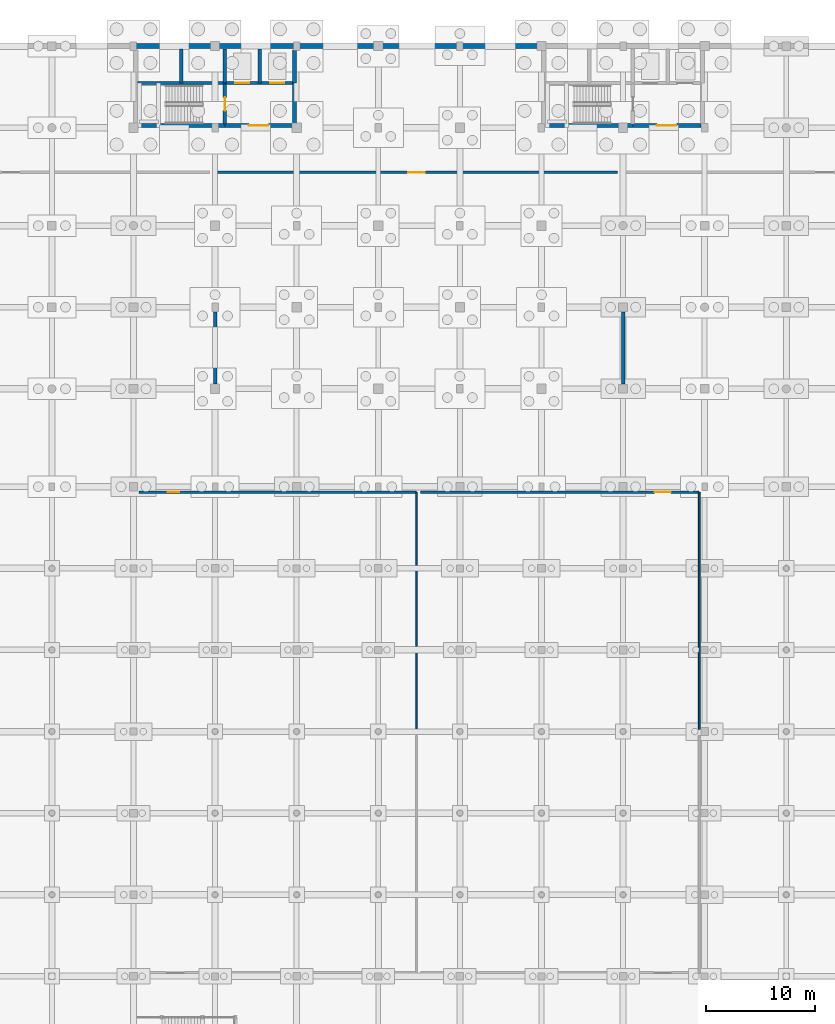
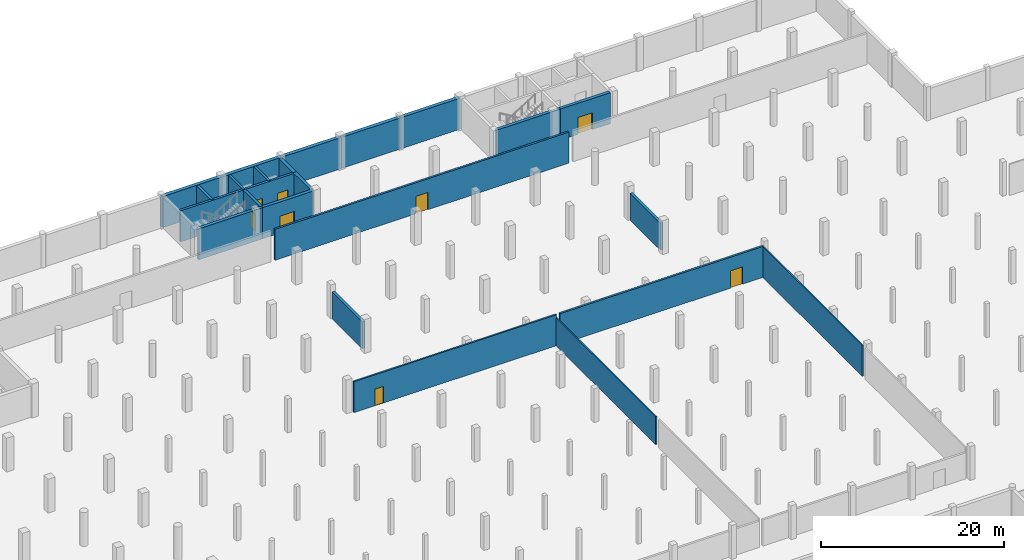
# One storey, part 29 of 42: 24 walls, 8 doors, 8 openings.
"""IFC4 building model written with IfcOpenShell, lengths in metres."""

from ifc_helpers import new_model, si_unit, direction, frame, frame_2d, origin, place, context, subcontext, project, spatial, rectangle, extrude, material, layer, layer_set, type_object, element, fill, save


model = new_model("IFC4")

# Units and contexts
model_context = context("Model", 3, precision=1e-05, world=origin(), true_north=direction((0.0, 1.0)))
body_context = subcontext(model_context, "Body", "Model", "MODEL_VIEW")
ifc_project = project(units=[si_unit("LENGTHUNIT", "METRE"), si_unit("AREAUNIT", "SQUARE_METRE"), si_unit("VOLUMEUNIT", "CUBIC_METRE"), si_unit("PLANEANGLEUNIT", "RADIAN"), si_unit("MASSUNIT", "GRAM", prefix="KILO")], contexts=[model_context])

# Site, building, storey
site_placement = place(None, origin())
site = spatial("IfcSite", under=ifc_project, at=site_placement, CompositionType="ELEMENT")
building_placement = place(site_placement, origin())
building = spatial("IfcBuilding", under=site, at=building_placement, Name="Dalvernix Boulevard General Hospital", CompositionType="ELEMENT")
storey_placement = place(building_placement, frame((0.0, 0.0, -4.5)))
storey = spatial("IfcBuildingStorey", under=building, at=storey_placement, Name="B1", CompositionType="ELEMENT", Elevation=-4.5)

# Wall
ifc_material_1 = material(Name="Concrete C40/50", Category="concrete")
ifc_layer_1 = layer(ifc_material_1, 0.39990234375)
ifc_layer_set_1 = layer_set([ifc_layer_1], Name="Concrete C40/50 (WAL-CSW-01)")
wall_type_1 = type_object("IfcWallType", Name="WAL-CSW-01", PredefinedType="SHEAR", material=ifc_layer_set_1)
wall_1_placement = place(storey_placement, frame((60.35009765625, 109.699951171875, 0.0), z_axis=(0.0, 0.0, 1.0), x_axis=(1.0, 0.0, 0.0)))
element("IfcWall", 1, at=wall_1_placement, inside=storey, type_object=wall_type_1, Name="B1 C3 south stairwell wall", PredefinedType="SHEAR", context=body_context, shape_type="SweptSolid", body=[
    extrude(rectangle(XDim=8.0498046875, YDim=0.39990234375, at=frame_2d((4.02490234375, 0.0))), origin(), (0.0, 0.0, 1.0), 4.139892578125),
])

# Wall, opening, door
wall_2_placement = place(storey_placement, frame((68.39990234375, 109.699951171875, 0.0), z_axis=(0.0, 0.0, 1.0), x_axis=(1.0, 0.0, 0.0)))
wall_2 = element("IfcWall", 2, at=wall_2_placement, inside=storey, type_object=wall_type_1, Name="B1 C3 south firefighting lobby wall", PredefinedType="SHEAR", context=body_context, shape_type="SweptSolid", body=[
    extrude(rectangle(XDim=6.25, YDim=0.39990234375, at=frame_2d((3.125, 0.0))), origin(), (0.0, 0.0, 1.0), 4.139892578125),
])
opening_1_placement = place(wall_2_placement, frame((2.199951171875, 0.0, 0.0)))
opening_1 = element("IfcOpeningElement", 3, at=opening_1_placement, cuts=wall_2, Name="Opening FD-01", PredefinedType="OPENING", context=body_context, shape_type="SweptSolid", body=[
    extrude(rectangle(XDim=1.800048828125, YDim=2.25, at=frame_2d((0.89990234375, 1.125))), frame((0.0, 0.2099609375, 0.0), z_axis=(0.0, -1.0, 0.0), x_axis=(1.0, 0.0, 0.0)), (0.0, 0.0, 1.0), 0.419921875),
])
ifc_material_2 = material(Name="Hospital laminate acoustic timber and steel frame", Category="steel")
door_type_1 = type_object("IfcDoorType", Name="DR-FD-01", OperationType="DOUBLE_DOOR_SINGLE_SWING", PredefinedType="DOOR", material=ifc_material_2)
door_1_placement = place(opening_1_placement, origin())
door_1 = element("IfcDoor", 4, at=door_1_placement, inside=storey, type_object=door_type_1, Name="B1 C3 firefighting lobby door", OperationType="DOUBLE_DOOR_SINGLE_SWING", OverallHeight=2.25, OverallWidth=1.800048828125, PredefinedType="DOOR", context=body_context, shape_type="SweptSolid", body=[
    extrude(rectangle(XDim=1.800048828125, YDim=2.25, at=frame_2d((0.89990234375, 1.125))), frame((0.0, 0.02490234375, 0.0), z_axis=(0.0, -1.0, 0.0), x_axis=(1.0, 0.0, 0.0)), (0.0, 0.0, 1.0), 0.050048828125),
])
fill(opening_1, door_1)

# Walls
wall_3_placement = place(storey_placement, frame((74.800048828125, 109.85009765625, 0.0), z_axis=(0.0, 0.0, 1.0), x_axis=(0.0, 1.0, 0.0)))
element("IfcWall", 5, at=wall_3_placement, inside=storey, type_object=wall_type_1, Name="B1 C3 east lobby core wall", PredefinedType="SHEAR", context=body_context, shape_type="SweptSolid", body=[
    extrude(rectangle(XDim=3.75, YDim=0.39990234375, at=frame_2d((1.875, 0.0))), origin(), (0.0, 0.0, 1.0), 4.139892578125),
])
wall_4_placement = place(storey_placement, frame((74.800048828125, 113.60009765625, 0.0), z_axis=(0.0, 0.0, 1.0), x_axis=(0.0, 1.0, 0.0)))
element("IfcWall", 6, at=wall_4_placement, inside=storey, type_object=wall_type_1, Name="B1 C3 east shaft core wall", PredefinedType="SHEAR", context=body_context, shape_type="SweptSolid", body=[
    extrude(rectangle(XDim=3.0498046875, YDim=0.39990234375, at=frame_2d((1.52490234375, 0.0))), origin(), (0.0, 0.0, 1.0), 4.139892578125),
])
wall_5_placement = place(storey_placement, frame((97.85009765625, 109.699951171875, 0.0), z_axis=(0.0, 0.0, 1.0), x_axis=(1.0, 0.0, 0.0)))
element("IfcWall", 7, at=wall_5_placement, inside=storey, type_object=wall_type_1, Name="B1 C4 south stairwell wall", PredefinedType="SHEAR", context=body_context, shape_type="SweptSolid", body=[
    extrude(rectangle(XDim=8.0498046875, YDim=0.39990234375, at=frame_2d((4.02490234375, 0.0))), origin(), (0.0, 0.0, 1.0), 4.139892578125),
])

# Wall, opening, door
wall_6_placement = place(storey_placement, frame((105.89990234375, 109.699951171875, 0.0), z_axis=(0.0, 0.0, 1.0), x_axis=(1.0, 0.0, 0.0)))
wall_6 = element("IfcWall", 8, at=wall_6_placement, inside=storey, type_object=wall_type_1, Name="B1 C4 south firefighting lobby wall", PredefinedType="SHEAR", context=body_context, shape_type="SweptSolid", body=[
    extrude(rectangle(XDim=6.25, YDim=0.39990234375, at=frame_2d((3.125, 0.0))), origin(), (0.0, 0.0, 1.0), 4.139892578125),
])
opening_2_placement = place(wall_6_placement, frame((2.199951171875, 0.0, 0.0)))
opening_2 = element("IfcOpeningElement", 9, at=opening_2_placement, cuts=wall_6, Name="Opening FD-01", PredefinedType="OPENING", context=body_context, shape_type="SweptSolid", body=[
    extrude(rectangle(XDim=1.800048828125, YDim=2.25, at=frame_2d((0.89990234375, 1.125))), frame((0.0, 0.2099609375, 0.0), z_axis=(0.0, -1.0, 0.0), x_axis=(1.0, 0.0, 0.0)), (0.0, 0.0, 1.0), 0.419921875),
])
door_2_placement = place(opening_2_placement, origin())
door_2 = element("IfcDoor", 10, at=door_2_placement, inside=storey, type_object=door_type_1, Name="B1 C4 firefighting lobby door", OperationType="DOUBLE_DOOR_SINGLE_SWING", OverallHeight=2.25, OverallWidth=1.800048828125, PredefinedType="DOOR", context=body_context, shape_type="SweptSolid", body=[
    extrude(rectangle(XDim=1.800048828125, YDim=2.25, at=frame_2d((0.89990234375, 1.125))), frame((0.0, 0.02490234375, 0.0), z_axis=(0.0, -1.0, 0.0), x_axis=(1.0, 0.0, 0.0)), (0.0, 0.0, 1.0), 0.050048828125),
])
fill(opening_2, door_2)

# Wall
ifc_layer_2 = layer(ifc_material_1, 0.300048828125)
ifc_layer_set_2 = layer_set([ifc_layer_2], Name="Concrete C40/50 (WAL-CSW-02)")
wall_type_2 = type_object("IfcWallType", Name="WAL-CSW-02", PredefinedType="SHEAR", material=ifc_layer_set_2)
wall_7_placement = place(storey_placement, frame((60.35009765625, 113.60009765625, 0.0), z_axis=(0.0, 0.0, 1.0), x_axis=(1.0, 0.0, 0.0)))
element("IfcWall", 11, at=wall_7_placement, inside=storey, type_object=wall_type_2, Name="B1 C3 riser spine wall", PredefinedType="SHEAR", context=body_context, shape_type="SweptSolid", body=[
    extrude(rectangle(XDim=8.0498046875, YDim=0.300048828125, at=frame_2d((4.02490234375, 0.0))), origin(), (0.0, 0.0, 1.0), 4.139892578125),
])

# Wall, openings, doors
wall_8_placement = place(storey_placement, frame((68.39990234375, 113.60009765625, 0.0), z_axis=(0.0, 0.0, 1.0), x_axis=(1.0, 0.0, 0.0)))
wall_8 = element("IfcWall", 12, at=wall_8_placement, inside=storey, type_object=wall_type_2, Name="B1 C3 lift shaft front wall", PredefinedType="SHEAR", context=body_context, shape_type="SweptSolid", body=[
    extrude(rectangle(XDim=6.25, YDim=0.300048828125, at=frame_2d((3.125, 0.0))), origin(), (0.0, 0.0, 1.0), 4.139892578125),
])
opening_3_placement = place(wall_8_placement, frame((0.949951171875, 0.0, 0.0)))
opening_3 = element("IfcOpeningElement", 13, at=opening_3_placement, cuts=wall_8, Name="Opening LD-LF-01-B1", PredefinedType="OPENING", context=body_context, shape_type="SweptSolid", body=[
    extrude(rectangle(XDim=1.300048828125, YDim=2.199951171875, at=frame_2d((0.64990234375, 1.10009765625))), frame((0.0, 0.159912109375, 0.0), z_axis=(0.0, -1.0, 0.0), x_axis=(1.0, 0.0, 0.0)), (0.0, 0.0, 1.0), 0.320068359375),
])
opening_4_placement = place(wall_8_placement, frame((4.14990234375, 0.0, 0.0)))
opening_4 = element("IfcOpeningElement", 14, at=opening_4_placement, cuts=wall_8, Name="Opening LD-LF-02-B1", PredefinedType="OPENING", context=body_context, shape_type="SweptSolid", body=[
    extrude(rectangle(XDim=1.300048828125, YDim=2.199951171875, at=frame_2d((0.64990234375, 1.10009765625))), frame((0.0, 0.159912109375, 0.0), z_axis=(0.0, -1.0, 0.0), x_axis=(1.0, 0.0, 0.0)), (0.0, 0.0, 1.0), 0.320068359375),
])
ifc_material_3 = material(Name="Stainless-clad steel", Category="steel")
door_type_2 = type_object("IfcDoorType", Name="DR-LD-02", OperationType="DOUBLE_DOOR_SLIDING", PredefinedType="DOOR", material=ifc_material_3)
door_3_placement = place(opening_3_placement, origin())
door_3 = element("IfcDoor", 15, at=door_3_placement, inside=storey, type_object=door_type_2, Name="B1 Lift LF-01 sliding landing door", OperationType="DOUBLE_DOOR_SLIDING", OverallHeight=2.199951171875, OverallWidth=1.300048828125, PredefinedType="DOOR", context=body_context, shape_type="SweptSolid", body=[
    extrude(rectangle(XDim=1.300048828125, YDim=2.199951171875, at=frame_2d((0.64990234375, 1.10009765625))), frame((0.0, 0.02490234375, 0.0), z_axis=(0.0, -1.0, 0.0), x_axis=(1.0, 0.0, 0.0)), (0.0, 0.0, 1.0), 0.050048828125),
])
fill(opening_3, door_3)
door_4_placement = place(opening_4_placement, origin())
door_4 = element("IfcDoor", 16, at=door_4_placement, inside=storey, type_object=door_type_2, Name="B1 Lift LF-02 sliding landing door", OperationType="DOUBLE_DOOR_SLIDING", OverallHeight=2.199951171875, OverallWidth=1.300048828125, PredefinedType="DOOR", context=body_context, shape_type="SweptSolid", body=[
    extrude(rectangle(XDim=1.300048828125, YDim=2.199951171875, at=frame_2d((0.64990234375, 1.10009765625))), frame((0.0, 0.02490234375, 0.0), z_axis=(0.0, -1.0, 0.0), x_axis=(1.0, 0.0, 0.0)), (0.0, 0.0, 1.0), 0.050048828125),
])
fill(opening_4, door_4)

# Wall, opening, door
wall_9_placement = place(storey_placement, frame((68.39990234375, 113.5, 0.0), z_axis=(0.0, 0.0, 1.0), x_axis=(0.0, -1.0, 0.0)))
wall_9 = element("IfcWall", 17, at=wall_9_placement, inside=storey, type_object=wall_type_2, Name="B1 C3 stairwell fire wall", PredefinedType="SHEAR", context=body_context, shape_type="SweptSolid", body=[
    extrude(rectangle(XDim=3.64990234375, YDim=0.300048828125, at=frame_2d((1.824951171875, 0.0))), origin(), (0.0, 0.0, 1.0), 4.139892578125),
])
opening_5_placement = place(wall_9_placement, frame((1.219970703125, 0.0, 0.0)))
opening_5 = element("IfcOpeningElement", 18, at=opening_5_placement, cuts=wall_9, Name="Opening FD-02", PredefinedType="OPENING", context=body_context, shape_type="SweptSolid", body=[
    extrude(rectangle(XDim=1.199951171875, YDim=2.25, at=frame_2d((0.60009765625, 1.125))), frame((0.0, 0.159912109375, 0.0), z_axis=(0.0, -1.0, 0.0), x_axis=(1.0, 0.0, 0.0)), (0.0, 0.0, 1.0), 0.320068359375),
])
door_type_3 = type_object("IfcDoorType", Name="DR-FD-02", OperationType="NOTDEFINED", PredefinedType="DOOR", material=ifc_material_2)
door_5_placement = place(opening_5_placement, origin())
door_5 = element("IfcDoor", 19, at=door_5_placement, inside=storey, type_object=door_type_3, Name="B1 Stair ST-03 fire door", OperationType="SINGLE_SWING_LEFT", OverallHeight=2.25, OverallWidth=1.199951171875, PredefinedType="DOOR", context=body_context, shape_type="SweptSolid", body=[
    extrude(rectangle(XDim=1.199951171875, YDim=2.25, at=frame_2d((0.60009765625, 1.125))), frame((0.0, 0.02490234375, 0.0), z_axis=(0.0, -1.0, 0.0), x_axis=(1.0, 0.0, 0.0)), (0.0, 0.0, 1.0), 0.050048828125),
])
fill(opening_5, door_5)

# Walls
for number, where, z_axis, x_axis, name in (
    (20, (64.39990234375, 113.60009765625, 0.0), (0.0, 0.0, 1.0), (0.0, 1.0, 0.0), "B1 C3 shaft divider R1"),
    (21, (68.39990234375, 113.60009765625, 0.0), (0.0, 0.0, 1.0), (0.0, 1.0, 0.0), "B1 C3 shaft divider R2"),
    (22, (71.60009765625, 113.60009765625, 0.0), (0.0, 0.0, 1.0), (0.0, 1.0, 0.0), "B1 C3 shaft divider L1"),
):
    element("IfcWall", number, at=place(storey_placement, frame(where, z_axis=z_axis, x_axis=x_axis)), inside=storey, type_object=wall_type_2, Name=name, PredefinedType="SHEAR", context=body_context, shape_type="SweptSolid", body=[
        extrude(rectangle(XDim=3.14990234375, YDim=0.300048828125, at=frame_2d((1.574951171875, 0.0))), origin(), (0.0, 0.0, 1.0), 4.139892578125),
    ])
ifc_layer_3 = layer(ifc_material_1, 0.320068359375)
ifc_layer_set_3 = layer_set([ifc_layer_3], Name="Concrete C40/50 (WAL-ESW-02)")
wall_type_3 = type_object("IfcWallType", Name="WAL-ESW-02", PredefinedType="SHEAR", material=ifc_layer_set_3)
for number, where, z_axis, x_axis, name in (
    (23, (67.5, 85.949951171875, 0.0), (0.0, 0.0, 1.0), (0.0, 1.0, 0.0), "B1 reinforced concrete shear wall 4"),
    (24, (105.0, 85.949951171875, 0.0), (0.0, 0.0, 1.0), (0.0, 1.0, 0.0), "B1 reinforced concrete shear wall 5"),
):
    element("IfcWall", number, at=place(storey_placement, frame(where, z_axis=z_axis, x_axis=x_axis)), inside=storey, type_object=wall_type_3, Name=name, PredefinedType="SHEAR", context=body_context, shape_type="SweptSolid", body=[
        extrude(rectangle(XDim=6.60009765625, YDim=0.320068359375, at=frame_2d((3.300048828125, 0.0))), origin(), (0.0, 0.0, 1.0), 3.590087890625),
    ])

# Wall, opening, door
ifc_material_4 = material(Name="Acoustic fire-rated masonry clinical wall", Category="masonry")
ifc_layer_4 = layer(ifc_material_4, 0.25)
ifc_layer_set_4 = layer_set([ifc_layer_4], Name="Acoustic fire-rated masonry clinical wall (WAL-IW-01)")
wall_type_4 = type_object("IfcWallType", Name="WAL-IW-01", PredefinedType="STANDARD", material=ifc_layer_set_4)
wall_10_placement = place(storey_placement, frame((112.0, 76.0, 0.0), z_axis=(0.0, 0.0, 1.0), x_axis=(-1.0, 0.0, 0.0)))
wall_10 = element("IfcWall", 25, at=wall_10_placement, inside=storey, type_object=wall_type_4, Name="B1 Central Medical Records and Mobile Shelving Archive corridor wall", PredefinedType="STANDARD", context=body_context, shape_type="SweptSolid", body=[
    extrude(rectangle(XDim=25.60009765625, YDim=0.25, at=frame_2d((12.800048828125, 0.0))), origin(), (0.0, 0.0, 1.0), 4.125),
])
opening_6_placement = place(wall_10_placement, frame((2.610107421875, 0.0, 0.0)))
opening_6 = element("IfcOpeningElement", 26, at=opening_6_placement, cuts=wall_10, Name="Opening ID-14", PredefinedType="OPENING", context=body_context, shape_type="SweptSolid", body=[
    extrude(rectangle(XDim=1.5, YDim=2.300048828125, at=frame_2d((0.75, 1.14990234375))), frame((0.0, 0.135009765625, 0.0), z_axis=(0.0, -1.0, 0.0), x_axis=(1.0, 0.0, 0.0)), (0.0, 0.0, 1.0), 0.27001953125),
])
door_type_4 = type_object("IfcDoorType", Name="DR-ID-14", OperationType="DOUBLE_DOOR_SINGLE_SWING", PredefinedType="DOOR", material=ifc_material_2)
door_6_placement = place(opening_6_placement, origin())
door_6 = element("IfcDoor", 27, at=door_6_placement, inside=storey, type_object=door_type_4, Name="B1 Central Medical Records and Mobile Shelving Archive door", OperationType="DOUBLE_DOOR_SINGLE_SWING", OverallHeight=2.300048828125, OverallWidth=1.5, PredefinedType="DOOR", context=body_context, shape_type="SweptSolid", body=[
    extrude(rectangle(XDim=1.5, YDim=2.300048828125, at=frame_2d((0.75, 1.14990234375))), frame((0.0, 0.02490234375, 0.0), z_axis=(0.0, -1.0, 0.0), x_axis=(1.0, 0.0, 0.0)), (0.0, 0.0, 1.0), 0.050048828125),
])
fill(opening_6, door_6)

wall_11_placement = place(storey_placement, frame((104.5, 105.39990234375, 0.0), z_axis=(0.0, 0.0, 1.0), x_axis=(-1.0, 0.0, 0.0)))
wall_11 = element("IfcWall", 28, at=wall_11_placement, inside=storey, type_object=wall_type_4, Name="B1 Emergency Standby Diesel Generator Plant Room corridor wall", PredefinedType="STANDARD", context=body_context, shape_type="SweptSolid", body=[
    extrude(rectangle(XDim=37.0, YDim=0.25, at=frame_2d((18.5, 0.0))), origin(), (0.0, 0.0, 1.0), 4.125),
])
opening_7_placement = place(wall_11_placement, frame((17.75, 0.0, 0.0)))
opening_7 = element("IfcOpeningElement", 29, at=opening_7_placement, cuts=wall_11, Name="Opening ID-14", PredefinedType="OPENING", context=body_context, shape_type="SweptSolid", body=[
    extrude(rectangle(XDim=1.5, YDim=2.300048828125, at=frame_2d((0.75, 1.14990234375))), frame((0.0, 0.135009765625, 0.0), z_axis=(0.0, -1.0, 0.0), x_axis=(1.0, 0.0, 0.0)), (0.0, 0.0, 1.0), 0.27001953125),
])
door_7_placement = place(opening_7_placement, origin())
door_7 = element("IfcDoor", 30, at=door_7_placement, inside=storey, type_object=door_type_4, Name="B1 Emergency Standby Diesel Generator Plant Room door", OperationType="DOUBLE_DOOR_SINGLE_SWING", OverallHeight=2.300048828125, OverallWidth=1.5, PredefinedType="DOOR", context=body_context, shape_type="SweptSolid", body=[
    extrude(rectangle(XDim=1.5, YDim=2.300048828125, at=frame_2d((0.75, 1.14990234375))), frame((0.0, 0.02490234375, 0.0), z_axis=(0.0, -1.0, 0.0), x_axis=(1.0, 0.0, 0.0)), (0.0, 0.0, 1.0), 0.050048828125),
])
fill(opening_7, door_7)

ifc_material_5 = material(Name="Fire-compartment corridor masonry wall", Category="masonry")
ifc_layer_5 = layer(ifc_material_5, 0.199951171875)
ifc_layer_set_5 = layer_set([ifc_layer_5], Name="Fire-compartment corridor masonry wall (WAL-IW-02)")
wall_type_5 = type_object("IfcWallType", Name="WAL-IW-02", PredefinedType="STANDARD", material=ifc_layer_set_5)
wall_12_placement = place(storey_placement, frame((86.0, 76.0, 0.0), z_axis=(0.0, 0.0, 1.0), x_axis=(-1.0, 0.0, 0.0)))
wall_12 = element("IfcWall", 31, at=wall_12_placement, inside=storey, type_object=wall_type_5, Name="B1 Central Pharmacy Bulk Vault and Cold Chain Store corridor wall", PredefinedType="STANDARD", context=body_context, shape_type="SweptSolid", body=[
    extrude(rectangle(XDim=25.5, YDim=0.199951171875, at=frame_2d((12.75, 0.0))), origin(), (0.0, 0.0, 1.0), 4.125),
])
opening_8_placement = place(wall_12_placement, frame((21.804931640625, 0.0, 0.0)))
opening_8 = element("IfcOpeningElement", 32, at=opening_8_placement, cuts=wall_12, Name="Opening ID-07", PredefinedType="OPENING", context=body_context, shape_type="SweptSolid", body=[
    extrude(rectangle(XDim=1.050048828125, YDim=2.199951171875, at=frame_2d((0.52490234375, 1.10009765625))), frame((0.0, 0.10986328125, 0.0), z_axis=(0.0, -1.0, 0.0), x_axis=(1.0, 0.0, 0.0)), (0.0, 0.0, 1.0), 0.219970703125),
])
door_type_5 = type_object("IfcDoorType", Name="DR-ID-07", OperationType="NOTDEFINED", PredefinedType="DOOR", material=ifc_material_2)
door_8_placement = place(opening_8_placement, origin())
door_8 = element("IfcDoor", 33, at=door_8_placement, inside=storey, type_object=door_type_5, Name="B1 Central Pharmacy Bulk Vault and Cold Chain Store door", OperationType="SINGLE_SWING_RIGHT", OverallHeight=2.199951171875, OverallWidth=1.050048828125, PredefinedType="DOOR", context=body_context, shape_type="SweptSolid", body=[
    extrude(rectangle(XDim=1.050048828125, YDim=2.199951171875, at=frame_2d((0.52490234375, 1.10009765625))), frame((0.0, 0.02490234375, 0.0), z_axis=(0.0, -1.0, 0.0), x_axis=(1.0, 0.0, 0.0)), (0.0, 0.0, 1.0), 0.050048828125),
])
fill(opening_8, door_8)

# Walls
ifc_material_6 = material(Name="Acoustic double-stud gypsum inpatient partition")
ifc_layer_6 = layer(ifc_material_6, 0.14990234375)
ifc_layer_set_6 = layer_set([ifc_layer_6], Name="Acoustic double-stud gypsum inpatient partition (WAL-IW-04)")
wall_type_6 = type_object("IfcWallType", Name="WAL-IW-04", PredefinedType="PARTITIONING", material=ifc_layer_set_6)
wall_13_placement = place(storey_placement, frame((86.0, 54.199951171875, 0.0), z_axis=(0.0, 0.0, 1.0), x_axis=(0.0, 1.0, 0.0)))
element("IfcWall", 34, at=wall_13_placement, inside=storey, type_object=wall_type_6, Name="B1 Central Pharmacy Bulk Vault and Cold Chain Store partition", PredefinedType="PARTITIONING", context=body_context, shape_type="SweptSolid", body=[
    extrude(rectangle(XDim=21.800048828125, YDim=0.14990234375, at=frame_2d((10.89990234375, 0.0))), origin(), (0.0, 0.0, 1.0), 3.72509765625),
])
wall_14_placement = place(storey_placement, frame((112.0, 54.199951171875, 0.0), z_axis=(0.0, 0.0, 1.0), x_axis=(0.0, 1.0, 0.0)))
element("IfcWall", 35, at=wall_14_placement, inside=storey, type_object=wall_type_6, Name="B1 Central Medical Records and Mobile Shelving Archive partition", PredefinedType="PARTITIONING", context=body_context, shape_type="SweptSolid", body=[
    extrude(rectangle(XDim=21.800048828125, YDim=0.14990234375, at=frame_2d((10.89990234375, 0.0))), origin(), (0.0, 0.0, 1.0), 4.125),
])
ifc_layer_7 = layer(ifc_material_1, 0.449951171875)
ifc_layer_set_7 = layer_set([ifc_layer_7], Name="Concrete C40/50 (WAL-RET-01)")
wall_type_7 = type_object("IfcWallType", Name="WAL-RET-01", PredefinedType="SOLIDWALL", material=ifc_layer_set_7)
for number, where, z_axis, x_axis, name in (
    (36, (60.0, 117.0, 0.0), (0.0, 0.0, 1.0), (1.0, 0.0, 0.0), "B1 basement retaining wall 19"),
    (37, (67.5, 117.0, 0.0), (0.0, 0.0, 1.0), (1.0, 0.0, 0.0), "B1 basement retaining wall 20"),
    (38, (75.0, 117.0, 0.0), (0.0, 0.0, 1.0), (1.0, 0.0, 0.0), "B1 basement retaining wall 21"),
    (39, (82.5, 117.0, 0.0), (0.0, 0.0, 1.0), (1.0, 0.0, 0.0), "B1 basement retaining wall 22"),
    (40, (90.0, 117.0, 0.0), (0.0, 0.0, 1.0), (1.0, 0.0, 0.0), "B1 basement retaining wall 23"),
):
    element("IfcWall", number, at=place(storey_placement, frame(where, z_axis=z_axis, x_axis=x_axis)), inside=storey, type_object=wall_type_7, Name=name, PredefinedType="SOLIDWALL", context=body_context, shape_type="SweptSolid", body=[
        extrude(rectangle(XDim=7.5, YDim=0.449951171875, at=frame_2d((3.75, 0.0))), origin(), (0.0, 0.0, 1.0), 4.139892578125),
    ])

save(model, "model.ifc")
